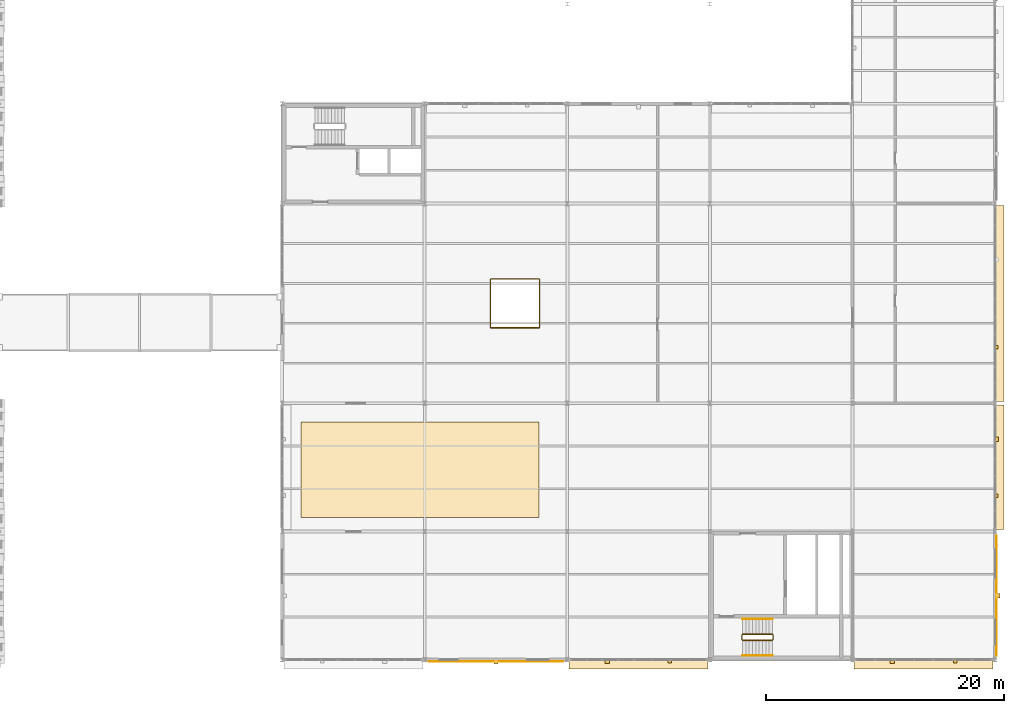
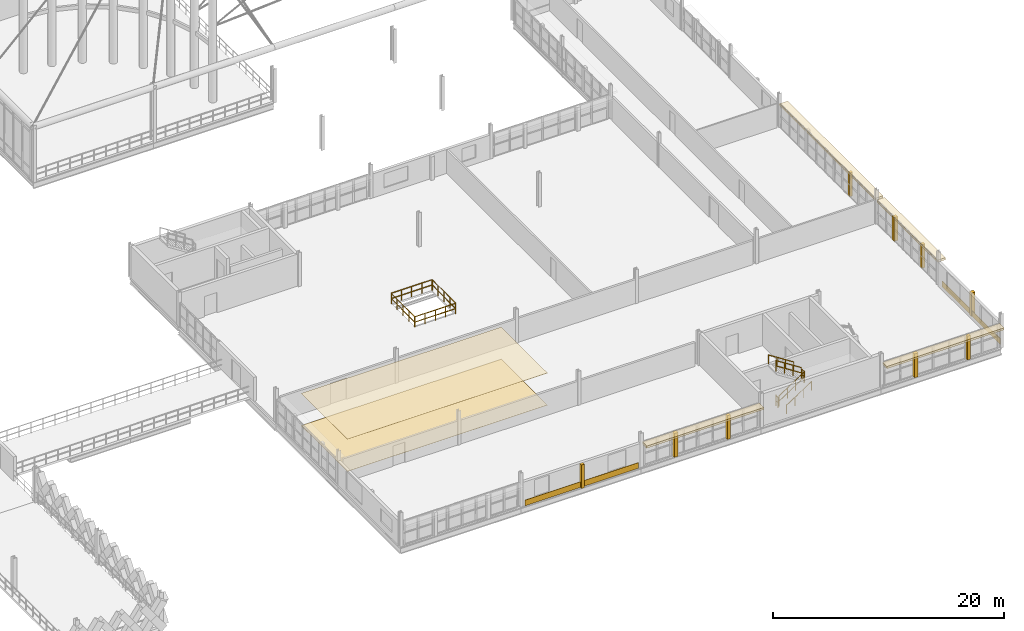
# One storey, part 100 of 101: 10 railings, 9 shading devices, 8 coverings.
"""IFC4 building model written with IfcOpenShell, lengths in metres."""

from ifc_helpers import new_model, si_unit, direction, frame, origin, origin_2d, place, context, subcontext, project, spatial, rectangle, circle, extrude, material, layer, layer_set, material_profile, profile_set, type_object, element, save


model = new_model("IFC4")

# Units and contexts
model_context = context("Model", 3, precision=1e-05, world=origin(), true_north=direction((0.0, 1.0)))
body_context = subcontext(model_context, "Body", "Model", "MODEL_VIEW")
ifc_project = project(units=[si_unit("LENGTHUNIT", "METRE"), si_unit("AREAUNIT", "SQUARE_METRE"), si_unit("VOLUMEUNIT", "CUBIC_METRE"), si_unit("PLANEANGLEUNIT", "RADIAN"), si_unit("MASSUNIT", "GRAM", prefix="KILO"), si_unit("THERMODYNAMICTEMPERATUREUNIT", "KELVIN"), si_unit("POWERUNIT", "WATT")], contexts=[model_context])

# Site, building, storey
site_placement = place(None, origin())
site = spatial("IfcSite", under=ifc_project, at=site_placement, CompositionType="ELEMENT")
building_placement = place(site_placement, origin())
building = spatial("IfcBuilding", under=site, at=building_placement, Name="Tembeka Court Mobility Hub", CompositionType="ELEMENT")
storey_placement = place(building_placement, frame((0.0, 0.0, 5.39990234375)))
storey = spatial("IfcBuildingStorey", under=building, at=storey_placement, Name="L01", CompositionType="ELEMENT", Elevation=5.39990234375)

# Coverings
ifc_material_1 = material(Name="Dressed ochre Nairobi volcanic-tuff cladding", Category="masonry")
ifc_layer_1 = layer(ifc_material_1, 0.0400390625)
ifc_layer_set_1 = layer_set([ifc_layer_1], Name="Dressed ochre Nairobi volcanic-tuff cladding")
covering_type_1 = type_object("IfcCoveringType", Name="COV-CD01", PredefinedType="CLADDING", material=ifc_layer_set_1)
covering_1_placement = place(storey_placement, frame((134.39990234375, -0.14501953125, 0.0), z_axis=(0.0, 0.0, 1.0), x_axis=(1.0, 0.0, 0.0)))
element("IfcCovering", 1, at=covering_1_placement, inside=storey, type_object=covering_type_1, Name="Volcanic-tuff spandrel cladding CVD1-02", PredefinedType="CLADDING", context=body_context, shape_type="SweptSolid", body=[
    extrude(rectangle(XDim=11.294921875, YDim=0.0400390625, at=origin_2d()), origin(), (0.0, 0.0, 1.0), 0.60009765625),
])
for number, where, z_axis, x_axis, name in (
    (2, (146.39990234375, -0.360107421875, 2.30517578125), (0.0, 0.0, 1.0), (1.0, 0.0, 0.0), "Projecting volcanic-tuff solar hood CVD1-H003"),
    (3, (170.39990234375, -0.360107421875, 2.30517578125), (0.0, 0.0, 1.0), (1.0, 0.0, 0.0), "Projecting volcanic-tuff solar hood CVD1-H004"),
):
    element("IfcCovering", number, at=place(storey_placement, frame(where, z_axis=z_axis, x_axis=x_axis)), inside=storey, type_object=covering_type_1, Name=name, PredefinedType="CLADDING", context=body_context, shape_type="SweptSolid", body=[
        extrude(rectangle(XDim=11.699951171875, YDim=0.800048828125, at=origin_2d()), origin(), (0.0, 0.0, 1.0), 0.219970703125),
    ])
covering_2_placement = place(storey_placement, frame((176.544921875, 5.39990234375, 0.0), z_axis=(0.0, 0.0, 1.0), x_axis=(0.0, 1.0, 0.0)))
element("IfcCovering", 4, at=covering_2_placement, inside=storey, type_object=covering_type_1, Name="Volcanic-tuff spandrel cladding CVD1-05", PredefinedType="CLADDING", context=body_context, shape_type="SweptSolid", body=[
    extrude(rectangle(XDim=10.0830078125, YDim=0.0400390625, at=origin_2d()), origin(), (0.0, 0.0, 1.0), 0.60009765625),
])
covering_3_placement = place(storey_placement, frame((176.760009765625, 16.199951171875, 2.30517578125), z_axis=(0.0, 0.0, 1.0), x_axis=(0.0, 1.0, 0.0)))
element("IfcCovering", 5, at=covering_3_placement, inside=storey, type_object=covering_type_1, Name="Projecting volcanic-tuff solar hood CVD1-H006", PredefinedType="CLADDING", context=body_context, shape_type="SweptSolid", body=[
    extrude(rectangle(XDim=10.5, YDim=0.800048828125, at=origin_2d()), origin(), (0.0, 0.0, 1.0), 0.219970703125),
])
covering_4_placement = place(storey_placement, frame((176.760009765625, 30.0, 2.30517578125), z_axis=(0.0, 0.0, 1.0), x_axis=(0.0, 1.0, 0.0)))
element("IfcCovering", 6, at=covering_4_placement, inside=storey, type_object=covering_type_1, Name="Projecting volcanic-tuff solar hood CVD1-H007", PredefinedType="CLADDING", context=body_context, shape_type="SweptSolid", body=[
    extrude(rectangle(XDim=16.5, YDim=0.800048828125, at=origin_2d()), origin(), (0.0, 0.0, 1.0), 0.219970703125),
])
ifc_material_2 = material(Name="Perforated acoustic mineral-fibre ceiling tile", Category="masonry")
ifc_layer_2 = layer(ifc_material_2, 0.02490234375)
ifc_layer_set_2 = layer_set([ifc_layer_2], Name="Perforated acoustic mineral-fibre ceiling tile")
covering_type_2 = type_object("IfcCoveringType", Name="COV-CL01", PredefinedType="CEILING", material=ifc_layer_set_2)
covering_5_placement = place(storey_placement, frame((128.0, 16.0, 3.3896484375), z_axis=(0.0, 0.0, 1.0), x_axis=(1.0, 0.0, 0.0)))
element("IfcCovering", 7, at=covering_5_placement, inside=storey, type_object=covering_type_2, Name="Acoustic ceiling panel CVC1-04", PredefinedType="CEILING", context=body_context, shape_type="SweptSolid", body=[
    extrude(rectangle(XDim=20.0, YDim=8.0, at=origin_2d()), origin(), (0.0, 0.0, 1.0), 0.02490234375),
])
ifc_material_3 = material(Name="Honed Nairobi granite concourse flooring", Category="masonry")
ifc_layer_3 = layer(ifc_material_3, 0.02001953125)
ifc_layer_set_3 = layer_set([ifc_layer_3], Name="Honed Nairobi granite concourse flooring")
covering_type_3 = type_object("IfcCoveringType", Name="COV-FL01", PredefinedType="FLOORING", material=ifc_layer_set_3)
covering_6_placement = place(storey_placement, frame((128.0, 16.0, -0.001953125), z_axis=(0.0, 0.0, 1.0), x_axis=(1.0, 0.0, 0.0)))
element("IfcCovering", 8, at=covering_6_placement, inside=storey, type_object=covering_type_3, Name="Honed granite floor finish CVF1-04", PredefinedType="FLOORING", context=body_context, shape_type="SweptSolid", body=[
    extrude(rectangle(XDim=20.0, YDim=8.0, at=origin_2d()), origin(), (0.0, 0.0, 1.0), 0.02001953125),
])

# Railings
ifc_material_4 = material(Name="Painted galvanised steel balustrade", Category="steel")
railing_type_1 = type_object("IfcRailingType", Name="RL-GR01", PredefinedType="GUARDRAIL", material=ifc_material_4)
railing_1_placement = place(storey_placement, frame((133.97998046875, 27.949951171875, 0.0)))
element("IfcRailing", 9, at=railing_1_placement, inside=storey, type_object=railing_type_1, Name="Perimeter guard GR01-0175", PredefinedType="GUARDRAIL", context=body_context, shape_type="SweptSolid", body=[
    extrude(circle(Radius=0.02392578125, at=origin_2d()), frame((0.0, 0.0, 1.09619140625), z_axis=(1.0, 0.0, 0.0), x_axis=(0.0, 1.0, 0.0)), (0.0, 0.0, 1.0), 4.0400390625),
    extrude(circle(Radius=0.02392578125, at=origin_2d()), frame((0.0, 0.0, 0.5361328125), z_axis=(1.0, 0.0, 0.0), x_axis=(0.0, 1.0, 0.0)), (0.0, 0.0, 1.0), 4.0400390625),
    extrude(circle(Radius=0.02099609375, at=origin_2d()), origin(), (0.0, 0.0, 1.0), 1.072021484375),
    extrude(circle(Radius=0.02099609375, at=origin_2d()), frame((1.010009765625, 0.0, 0.0)), (0.0, 0.0, 1.0), 1.072021484375),
    extrude(circle(Radius=0.02099609375, at=origin_2d()), frame((2.02001953125, 0.0, 0.0)), (0.0, 0.0, 1.0), 1.072021484375),
    extrude(circle(Radius=0.02099609375, at=origin_2d()), frame((3.030029296875, 0.0, 0.0)), (0.0, 0.0, 1.0), 1.072021484375),
    extrude(circle(Radius=0.02099609375, at=origin_2d()), frame((4.0400390625, 0.0, 0.0)), (0.0, 0.0, 1.0), 1.072021484375),
])
railing_2_placement = place(storey_placement, frame((138.050048828125, 27.97998046875, 0.0)))
element("IfcRailing", 10, at=railing_2_placement, inside=storey, type_object=railing_type_1, Name="Perimeter guard GR01-0176", PredefinedType="GUARDRAIL", context=body_context, shape_type="SweptSolid", body=[
    extrude(circle(Radius=0.02392578125, at=origin_2d()), frame((0.0, 0.0, 1.09619140625), z_axis=(0.0, 1.0, 0.0), x_axis=(-1.0, 0.0, 0.0)), (0.0, 0.0, 1.0), 4.0400390625),
    extrude(circle(Radius=0.02392578125, at=origin_2d()), frame((0.0, 0.0, 0.5361328125), z_axis=(0.0, 1.0, 0.0), x_axis=(-1.0, 0.0, 0.0)), (0.0, 0.0, 1.0), 4.0400390625),
    extrude(circle(Radius=0.02099609375, at=origin_2d()), origin(), (0.0, 0.0, 1.0), 1.072021484375),
    extrude(circle(Radius=0.02099609375, at=origin_2d()), frame((0.0, 1.010009765625, 0.0)), (0.0, 0.0, 1.0), 1.072021484375),
    extrude(circle(Radius=0.02099609375, at=origin_2d()), frame((0.0, 2.02001953125, 0.0)), (0.0, 0.0, 1.0), 1.072021484375),
    extrude(circle(Radius=0.02099609375, at=origin_2d()), frame((0.0, 3.030029296875, 0.0)), (0.0, 0.0, 1.0), 1.072021484375),
    extrude(circle(Radius=0.02099609375, at=origin_2d()), frame((0.0, 4.0400390625, 0.0)), (0.0, 0.0, 1.0), 1.072021484375),
])
railing_3_placement = place(storey_placement, frame((138.02001953125, 32.050048828125, 0.0)))
element("IfcRailing", 11, at=railing_3_placement, inside=storey, type_object=railing_type_1, Name="Perimeter guard GR01-0177", PredefinedType="GUARDRAIL", context=body_context, shape_type="SweptSolid", body=[
    extrude(circle(Radius=0.02392578125, at=origin_2d()), frame((0.0, 0.0, 1.09619140625), z_axis=(-1.0, 0.0, 0.0), x_axis=(0.0, -1.0, 0.0)), (0.0, 0.0, 1.0), 4.0400390625),
    extrude(circle(Radius=0.02392578125, at=origin_2d()), frame((0.0, 0.0, 0.5361328125), z_axis=(-1.0, 0.0, 0.0), x_axis=(0.0, -1.0, 0.0)), (0.0, 0.0, 1.0), 4.0400390625),
    extrude(circle(Radius=0.02099609375, at=origin_2d()), origin(), (0.0, 0.0, 1.0), 1.072021484375),
    extrude(circle(Radius=0.02099609375, at=origin_2d()), frame((-1.010009765625, 0.0, 0.0)), (0.0, 0.0, 1.0), 1.072021484375),
    extrude(circle(Radius=0.02099609375, at=origin_2d()), frame((-2.02001953125, 0.0, 0.0)), (0.0, 0.0, 1.0), 1.072021484375),
    extrude(circle(Radius=0.02099609375, at=origin_2d()), frame((-3.030029296875, 0.0, 0.0)), (0.0, 0.0, 1.0), 1.072021484375),
    extrude(circle(Radius=0.02099609375, at=origin_2d()), frame((-4.0400390625, 0.0, 0.0)), (0.0, 0.0, 1.0), 1.072021484375),
])
railing_4_placement = place(storey_placement, frame((133.949951171875, 32.02001953125, 0.0)))
element("IfcRailing", 12, at=railing_4_placement, inside=storey, type_object=railing_type_1, Name="Perimeter guard GR01-0178", PredefinedType="GUARDRAIL", context=body_context, shape_type="SweptSolid", body=[
    extrude(circle(Radius=0.02392578125, at=origin_2d()), frame((0.0, 0.0, 1.09619140625), z_axis=(0.0, -1.0, 0.0), x_axis=(1.0, 0.0, 0.0)), (0.0, 0.0, 1.0), 4.0400390625),
    extrude(circle(Radius=0.02392578125, at=origin_2d()), frame((0.0, 0.0, 0.5361328125), z_axis=(0.0, -1.0, 0.0), x_axis=(1.0, 0.0, 0.0)), (0.0, 0.0, 1.0), 4.0400390625),
    extrude(circle(Radius=0.02099609375, at=origin_2d()), origin(), (0.0, 0.0, 1.0), 1.072021484375),
    extrude(circle(Radius=0.02099609375, at=origin_2d()), frame((0.0, -1.010009765625, 0.0)), (0.0, 0.0, 1.0), 1.072021484375),
    extrude(circle(Radius=0.02099609375, at=origin_2d()), frame((0.0, -2.02001953125, 0.0)), (0.0, 0.0, 1.0), 1.072021484375),
    extrude(circle(Radius=0.02099609375, at=origin_2d()), frame((0.0, -3.030029296875, 0.0)), (0.0, 0.0, 1.0), 1.072021484375),
    extrude(circle(Radius=0.02099609375, at=origin_2d()), frame((0.0, -4.0400390625, 0.0)), (0.0, 0.0, 1.0), 1.072021484375),
])
railing_5_placement = place(storey_placement, frame((155.14990234375, 1.64990234375, 0.18017578125)))
element("IfcRailing", 13, at=railing_5_placement, inside=storey, type_object=railing_type_1, Name="L01 ST06 stair guard 1-1", PredefinedType="GUARDRAIL", context=body_context, shape_type="SweptSolid", body=[
    extrude(circle(Radius=0.02392578125, at=origin_2d()), frame((0.0, 0.0, 1.09619140625), z_axis=(0.841199657755, 0.0, 0.540724639528), x_axis=(0.0, 1.0, 0.0)), (0.0, 0.0, 1.0), 2.995849609375),
    extrude(circle(Radius=0.02392578125, at=origin_2d()), frame((0.0, 0.0, 0.5361328125), z_axis=(0.841199657755, 0.0, 0.540724639528), x_axis=(0.0, 1.0, 0.0)), (0.0, 0.0, 1.0), 2.995849609375),
    extrude(circle(Radius=0.02099609375, at=origin_2d()), origin(), (0.0, 0.0, 1.0), 1.072021484375),
    extrude(circle(Radius=0.02099609375, at=origin_2d()), frame((0.840087890625, 0.0, 0.5400390625)), (0.0, 0.0, 1.0), 1.072021484375),
    extrude(circle(Radius=0.02099609375, at=origin_2d()), frame((1.679931640625, 0.0, 1.079833984375)), (0.0, 0.0, 1.0), 1.072021484375),
    extrude(circle(Radius=0.02099609375, at=origin_2d()), frame((2.52001953125, 0.0, 1.619873046875)), (0.0, 0.0, 1.0), 1.072021484375),
])
railing_6_placement = place(storey_placement, frame((157.719970703125, 1.699951171875, 1.800048828125)))
element("IfcRailing", 14, at=railing_6_placement, inside=storey, type_object=railing_type_1, Name="L01 ST06 stair guard 2-1", PredefinedType="GUARDRAIL", context=body_context, shape_type="SweptSolid", body=[
    extrude(circle(Radius=0.02392578125, at=origin_2d()), frame((0.0, 0.0, 1.09619140625), z_axis=(0.0, 1.0, 0.0), x_axis=(-1.0, 0.0, 0.0)), (0.0, 0.0, 1.0), 0.400146484375),
    extrude(circle(Radius=0.02392578125, at=origin_2d()), frame((0.0, 0.0, 0.5361328125), z_axis=(0.0, 1.0, 0.0), x_axis=(-1.0, 0.0, 0.0)), (0.0, 0.0, 1.0), 0.400146484375),
    extrude(circle(Radius=0.02099609375, at=origin_2d()), origin(), (0.0, 0.0, 1.0), 1.072021484375),
    extrude(circle(Radius=0.02099609375, at=origin_2d()), frame((0.0, 0.400146484375, 0.0)), (0.0, 0.0, 1.0), 1.072021484375),
])
railing_7_placement = place(storey_placement, frame((157.669921875, 2.14990234375, 1.97998046875)))
element("IfcRailing", 15, at=railing_7_placement, inside=storey, type_object=railing_type_1, Name="L01 ST06 stair guard 3-1", PredefinedType="GUARDRAIL", context=body_context, shape_type="SweptSolid", body=[
    extrude(circle(Radius=0.02392578125, at=origin_2d()), frame((0.0, 0.0, 1.09619140625), z_axis=(-0.841162588446, 0.0, 0.540782303519), x_axis=(0.0, -1.0, 0.0)), (0.0, 0.0, 1.0), 2.995849609375),
    extrude(circle(Radius=0.02392578125, at=origin_2d()), frame((0.0, 0.0, 0.5361328125), z_axis=(-0.841162588446, 0.0, 0.540782303519), x_axis=(0.0, -1.0, 0.0)), (0.0, 0.0, 1.0), 2.995849609375),
    extrude(circle(Radius=0.02099609375, at=origin_2d()), origin(), (0.0, 0.0, 1.0), 1.072021484375),
    extrude(circle(Radius=0.02099609375, at=origin_2d()), frame((-0.840087890625, 0.0, 0.5400390625)), (0.0, 0.0, 1.0), 1.072021484375),
    extrude(circle(Radius=0.02099609375, at=origin_2d()), frame((-1.679931640625, 0.0, 1.080078125)), (0.0, 0.0, 1.0), 1.072021484375),
    extrude(circle(Radius=0.02099609375, at=origin_2d()), frame((-2.52001953125, 0.0, 1.6201171875)), (0.0, 0.0, 1.0), 1.072021484375),
])
railing_8_placement = place(storey_placement, frame((155.10009765625, 1.699951171875, 0.0)))
element("IfcRailing", 16, at=railing_8_placement, inside=storey, type_object=railing_type_1, Name="L01 ST06 stair guard 4-1", PredefinedType="GUARDRAIL", context=body_context, shape_type="SweptSolid", body=[
    extrude(circle(Radius=0.02392578125, at=origin_2d()), frame((0.0, 0.0, 1.09619140625), z_axis=(0.0, 1.0, 0.0), x_axis=(-1.0, 0.0, 0.0)), (0.0, 0.0, 1.0), 0.400146484375),
    extrude(circle(Radius=0.02392578125, at=origin_2d()), frame((0.0, 0.0, 0.5361328125), z_axis=(0.0, 1.0, 0.0), x_axis=(-1.0, 0.0, 0.0)), (0.0, 0.0, 1.0), 0.400146484375),
    extrude(circle(Radius=0.02099609375, at=origin_2d()), origin(), (0.0, 0.0, 1.0), 1.072021484375),
    extrude(circle(Radius=0.02099609375, at=origin_2d()), frame((0.0, 0.400146484375, 0.0)), (0.0, 0.0, 1.0), 1.072021484375),
])
ifc_material_5 = material(Name="Brushed stainless steel handrail", Category="steel")
railing_type_2 = type_object("IfcRailingType", Name="RL-HR01", PredefinedType="HANDRAIL", material=ifc_material_5)
railing_9_placement = place(storey_placement, frame((155.14990234375, 0.35009765625, 0.18017578125)))
element("IfcRailing", 17, at=railing_9_placement, inside=storey, type_object=railing_type_2, Name="L01 ST06 handrail 1-1", PredefinedType="HANDRAIL", context=body_context, shape_type="SweptSolid", body=[
    extrude(circle(Radius=0.02392578125, at=origin_2d()), frame((0.0, 0.0, 0.89599609375), z_axis=(0.841199657755, 0.0, 0.540724639528), x_axis=(0.0, 1.0, 0.0)), (0.0, 0.0, 1.0), 2.995849609375),
    extrude(circle(Radius=0.02099609375, at=origin_2d()), origin(), (0.0, 0.0, 1.0), 0.871826171875),
    extrude(circle(Radius=0.02099609375, at=origin_2d()), frame((0.840087890625, 0.0, 0.5400390625)), (0.0, 0.0, 1.0), 0.871826171875),
    extrude(circle(Radius=0.02099609375, at=origin_2d()), frame((1.679931640625, 0.0, 1.079833984375)), (0.0, 0.0, 1.0), 0.871826171875),
    extrude(circle(Radius=0.02099609375, at=origin_2d()), frame((2.52001953125, 0.0, 1.619873046875)), (0.0, 0.0, 1.0), 0.871826171875),
])
railing_10_placement = place(storey_placement, frame((157.669921875, 3.449951171875, 1.97998046875)))
element("IfcRailing", 18, at=railing_10_placement, inside=storey, type_object=railing_type_2, Name="L01 ST06 handrail 2-1", PredefinedType="HANDRAIL", context=body_context, shape_type="SweptSolid", body=[
    extrude(circle(Radius=0.02392578125, at=origin_2d()), frame((0.0, 0.0, 0.89599609375), z_axis=(-0.841162588446, 0.0, 0.540782303519), x_axis=(0.0, -1.0, 0.0)), (0.0, 0.0, 1.0), 2.995849609375),
    extrude(circle(Radius=0.02099609375, at=origin_2d()), origin(), (0.0, 0.0, 1.0), 0.871826171875),
    extrude(circle(Radius=0.02099609375, at=origin_2d()), frame((-0.840087890625, 0.0, 0.5400390625)), (0.0, 0.0, 1.0), 0.871826171875),
    extrude(circle(Radius=0.02099609375, at=origin_2d()), frame((-1.679931640625, 0.0, 1.080078125)), (0.0, 0.0, 1.0), 0.871826171875),
    extrude(circle(Radius=0.02099609375, at=origin_2d()), frame((-2.52001953125, 0.0, 1.6201171875)), (0.0, 0.0, 1.0), 0.871826171875),
])

# Shading devices
ifc_material_6 = material(Name="Bronze-anodised aluminium 6063-T6", Category="aluminium")
ifc_material_profile_1 = material_profile(ifc_material_6, rectangle(XDim=0.360107421875, YDim=0.360107421875, at=origin_2d()), Name="ALU-FIN 360x360")
ifc_profile_set_1 = profile_set([ifc_material_profile_1], Name="Bronze-anodised aluminium 6063-T6")
shading_device_type_1 = type_object("IfcShadingDeviceType", Name="SHD-FN01", PredefinedType="JALOUSIE", material=ifc_profile_set_1)
for number, where, z_axis, x_axis, name in (
    (19, (143.760009765625, -0.1201171875, 0.0), (0.0, 0.0, 1.0), (1.0, 0.0, 0.0), "Equatorial solar shading fin FN01-004"),
    (20, (167.760009765625, -0.1201171875, 0.0), (0.0, 0.0, 1.0), (1.0, 0.0, 0.0), "Equatorial solar shading fin FN01-006"),
):
    element("IfcShadingDevice", number, at=place(storey_placement, frame(where, z_axis=z_axis, x_axis=x_axis)), inside=storey, type_object=shading_device_type_1, Name=name, PredefinedType="JALOUSIE", context=body_context, shape_type="SweptSolid", body=[
        extrude(rectangle(XDim=0.360107421875, YDim=0.360107421875, at=origin_2d()), origin(), (0.0, 0.0, 1.0), 2.51513671875),
    ])
shading_device_1_placement = place(storey_placement, frame((176.639892578125, 5.39990234375, 0.0), z_axis=(0.0, 0.0, 1.0), x_axis=(1.0, 0.0, 0.0)))
element("IfcShadingDevice", 21, at=shading_device_1_placement, inside=storey, type_object=shading_device_type_1, Name="Equatorial solar shading fin FN01-008", PredefinedType="JALOUSIE", context=body_context, shape_type="SweptSolid", body=[
    extrude(rectangle(XDim=0.360107421875, YDim=0.360107421875, at=origin_2d()), origin(), (0.0, 0.0, 1.0), 2.485107421875),
])
shading_device_2_placement = place(storey_placement, frame((176.52001953125, 18.575927734375, 0.0), z_axis=(0.0, 0.0, 1.0), x_axis=(1.0, 0.0, 0.0)))
element("IfcShadingDevice", 22, at=shading_device_2_placement, inside=storey, type_object=shading_device_type_1, Name="Equatorial solar shading fin FN01-010", PredefinedType="JALOUSIE", context=body_context, shape_type="SweptSolid", body=[
    extrude(rectangle(XDim=0.360107421875, YDim=0.360107421875, at=origin_2d()), origin(), (0.0, 0.0, 1.0), 2.51513671875),
])
ifc_material_profile_2 = material_profile(ifc_material_6, rectangle(XDim=0.300048828125, YDim=0.300048828125, at=origin_2d()), Name="ALU-LVR 300x300")
ifc_profile_set_2 = profile_set([ifc_material_profile_2], Name="Bronze-anodised aluminium 6063-T6")
shading_device_type_2 = type_object("IfcShadingDeviceType", Name="SHD-LV01", PredefinedType="SHUTTER", material=ifc_profile_set_2)
shading_device_3_placement = place(storey_placement, frame((134.39990234375, -0.2099609375, 0.0), z_axis=(0.0, 0.0, 1.0), x_axis=(1.0, 0.0, 0.0)))
element("IfcShadingDevice", 23, at=shading_device_3_placement, inside=storey, type_object=shading_device_type_2, Name="Equatorial solar shading fin LV01-003", PredefinedType="SHUTTER", context=body_context, shape_type="SweptSolid", body=[
    extrude(rectangle(XDim=0.300048828125, YDim=0.300048828125, at=origin_2d()), origin(), (0.0, 0.0, 1.0), 2.485107421875),
])
for number, where, z_axis, x_axis, name in (
    (24, (149.0400390625, -0.1201171875, 0.0), (0.0, 0.0, 1.0), (1.0, 0.0, 0.0), "Equatorial solar shading fin LV01-005"),
    (25, (173.0400390625, -0.1201171875, 0.0), (0.0, 0.0, 1.0), (1.0, 0.0, 0.0), "Equatorial solar shading fin LV01-007"),
    (26, (176.52001953125, 13.823974609375, 0.0), (0.0, 0.0, 1.0), (1.0, 0.0, 0.0), "Equatorial solar shading fin LV01-009"),
    (27, (176.52001953125, 26.303955078125, 0.0), (0.0, 0.0, 1.0), (1.0, 0.0, 0.0), "Equatorial solar shading fin LV01-011"),
):
    element("IfcShadingDevice", number, at=place(storey_placement, frame(where, z_axis=z_axis, x_axis=x_axis)), inside=storey, type_object=shading_device_type_2, Name=name, PredefinedType="SHUTTER", context=body_context, shape_type="SweptSolid", body=[
        extrude(rectangle(XDim=0.300048828125, YDim=0.300048828125, at=origin_2d()), origin(), (0.0, 0.0, 1.0), 2.51513671875),
    ])

save(model, "model.ifc")
